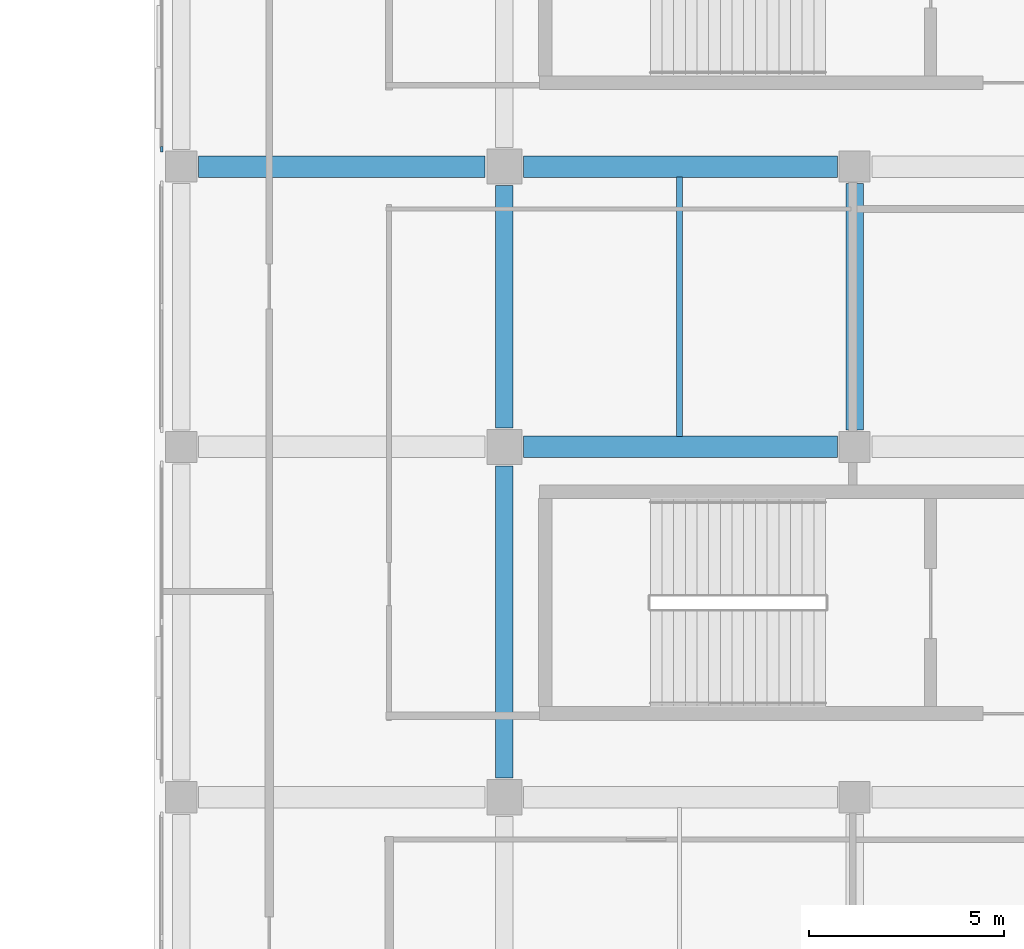
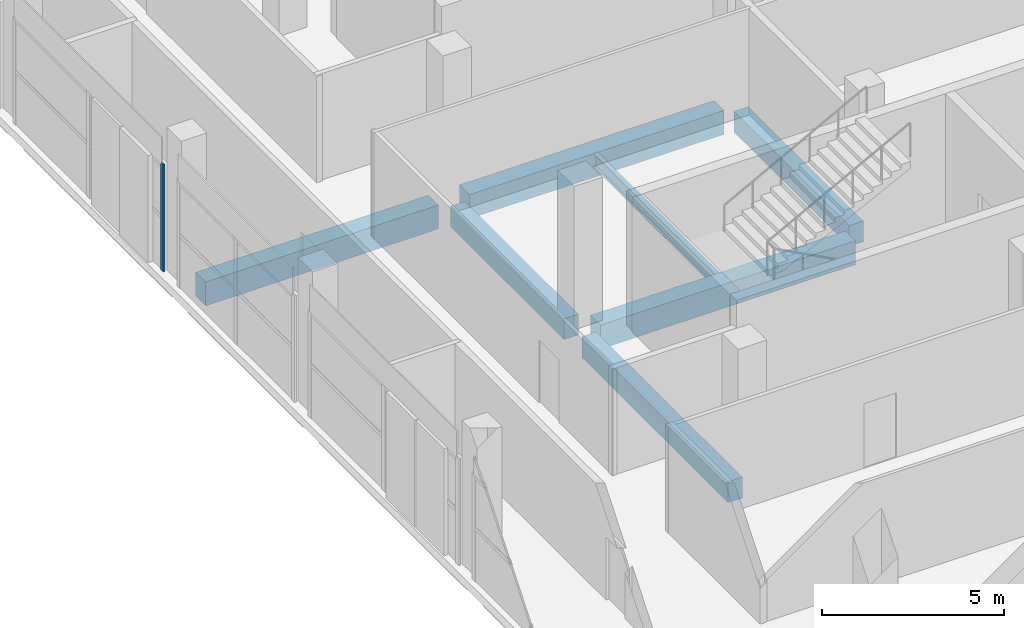
# One storey, part 34 of 111: 7 beams, 1 member, 1 element without a shape of its own.
"""IFC4 building model written with IfcOpenShell, lengths in metres."""

from ifc_helpers import new_model, si_unit, direction, frame, origin, origin_2d, place, context, subcontext, project, spatial, rectangle, i_section, extrude, material, material_profile, profile_set, type_object, element, aggregate, save


model = new_model("IFC4")

# Units and contexts
model_context = context("Model", 3, precision=1e-05, world=origin(), true_north=direction((0.0, 1.0)))
body_context = subcontext(model_context, "Body", "Model", "MODEL_VIEW")
ifc_project = project(units=[si_unit("LENGTHUNIT", "METRE"), si_unit("AREAUNIT", "SQUARE_METRE"), si_unit("VOLUMEUNIT", "CUBIC_METRE"), si_unit("PLANEANGLEUNIT", "RADIAN"), si_unit("MASSUNIT", "GRAM", prefix="KILO"), si_unit("THERMODYNAMICTEMPERATUREUNIT", "KELVIN"), si_unit("POWERUNIT", "WATT")], contexts=[model_context])

# Site, building, storey
site_placement = place(None, origin())
site = spatial("IfcSite", under=ifc_project, at=site_placement, CompositionType="ELEMENT")
building_placement = place(site_placement, origin())
building = spatial("IfcBuilding", under=site, at=building_placement, Name="Sindhuravela Promenade Stadium", CompositionType="ELEMENT")
storey_placement = place(building_placement, frame((0.0, 0.0, 9.60009765625)))
storey = spatial("IfcBuildingStorey", under=building, at=storey_placement, Name="L02", CompositionType="ELEMENT", Elevation=9.60009765625)

# Curtain wall, member
ifc_material_1 = material(Name="Anodised architectural aluminium 6063-T6", Category="aluminium")
curtain_wall_type = type_object("IfcCurtainWallType", Name="CW-MOD-5", PredefinedType="NOTDEFINED", material=ifc_material_1)
curtain_wall_placement = place(storey_placement, origin())
curtain_wall = element("IfcCurtainWall", 1, at=curtain_wall_placement, inside=storey, type_object=curtain_wall_type, Name="Bronze curtain wall CW-EAST-L02-100", PredefinedType="NOTDEFINED")
ifc_material_profile_1 = material_profile(ifc_material_1, rectangle(XDim=0.06005859375, YDim=0.139892578125, at=origin_2d()), Name="ALU M60x140")
ifc_profile_set_1 = profile_set([ifc_material_profile_1], Name="Anodised architectural aluminium 6063-T6")
member_type = type_object("IfcMemberType", Name="CW-MUL-5", PredefinedType="MULLION", material=ifc_profile_set_1)
member_placement = place(storey_placement, frame((171.199951171875, 101.25, 0.0), z_axis=(0.0, 0.0, 1.0), x_axis=(1.0, 0.0, 0.0)))
member = element("IfcMember", 2, at=member_placement, type_object=member_type, Name="Curtain wall mullion CW-EAST-L02-100-M1", PredefinedType="MULLION", context=body_context, shape_type="SweptSolid", body=[
    extrude(rectangle(XDim=0.06005859375, YDim=0.139892578125, at=origin_2d()), origin(), (0.0, 0.0, 1.0), 3.579833984375),
])
aggregate(curtain_wall, [member])

# Beams
ifc_material_2 = material(Name="Concrete M40", Category="concrete")
ifc_material_profile_2 = material_profile(ifc_material_2, rectangle(XDim=0.449951171875, YDim=0.699951171875, at=origin_2d()), Name="RC 450x700")
ifc_profile_set_2 = profile_set([ifc_material_profile_2], Name="Concrete M40")
beam_type_1 = type_object("IfcBeamType", Name="RC-BM-450x700", PredefinedType="BEAM", material=ifc_profile_set_2)
beam_1_placement = place(storey_placement, frame((180.0, 85.090087890625, -0.630126953125), z_axis=(0.0, 1.0, 0.0), x_axis=(-1.0, 0.0, 0.0)))
element("IfcBeam", 3, at=beam_1_placement, inside=storey, type_object=beam_type_1, Name="Primary beam GB07 EAST L02", PredefinedType="BEAM", context=body_context, shape_type="SweptSolid", body=[
    extrude(rectangle(XDim=0.449951171875, YDim=0.699951171875, at=origin_2d()), origin(), (0.0, 0.0, 1.0), 8.02001953125),
])
beam_2_placement = place(storey_placement, frame((180.0, 94.090087890625, -0.630126953125), z_axis=(0.0, 1.0, 0.0), x_axis=(-1.0, 0.0, 0.0)))
element("IfcBeam", 4, at=beam_2_placement, inside=storey, type_object=beam_type_1, Name="Primary beam GB07 EAST L02", PredefinedType="BEAM", context=body_context, shape_type="SweptSolid", body=[
    extrude(rectangle(XDim=0.449951171875, YDim=0.699951171875, at=origin_2d()), origin(), (0.0, 0.0, 1.0), 6.219970703125),
])
beam_3_placement = place(storey_placement, frame((189.0, 94.0400390625, -0.630126953125), z_axis=(0.0, 1.0, 0.0), x_axis=(-1.0, 0.0, 0.0)))
element("IfcBeam", 5, at=beam_3_placement, inside=storey, type_object=beam_type_1, Name="Primary beam GB07 EAST L02", PredefinedType="BEAM", context=body_context, shape_type="SweptSolid", body=[
    extrude(rectangle(XDim=0.449951171875, YDim=0.699951171875, at=origin_2d()), origin(), (0.0, 0.0, 1.0), 6.320068359375),
])
ifc_material_profile_3 = material_profile(ifc_material_2, rectangle(XDim=0.550048828125, YDim=0.800048828125, at=origin_2d()), Name="RC 550x800")
ifc_profile_set_3 = profile_set([ifc_material_profile_3], Name="Concrete M40")
beam_type_2 = type_object("IfcBeamType", Name="RC-BM-550x800", PredefinedType="BEAM", material=ifc_profile_set_3)
beam_4_placement = place(storey_placement, frame((180.489990234375, 93.60009765625, -0.68017578125), z_axis=(1.0, 0.0, 0.0), x_axis=(0.0, 1.0, 0.0)))
element("IfcBeam", 6, at=beam_4_placement, inside=storey, type_object=beam_type_2, Name="Primary girder GB05 EAST L02", PredefinedType="BEAM", context=body_context, shape_type="SweptSolid", body=[
    extrude(rectangle(XDim=0.550048828125, YDim=0.800048828125, at=origin_2d()), origin(), (0.0, 0.0, 1.0), 8.070068359375),
])
beam_5_placement = place(storey_placement, frame((172.139892578125, 100.800048828125, -0.68017578125), z_axis=(1.0, 0.0, 0.0), x_axis=(0.0, 1.0, 0.0)))
element("IfcBeam", 7, at=beam_5_placement, inside=storey, type_object=beam_type_2, Name="Primary girder GB05 EAST L02", PredefinedType="BEAM", context=body_context, shape_type="SweptSolid", body=[
    extrude(rectangle(XDim=0.550048828125, YDim=0.800048828125, at=origin_2d()), origin(), (0.0, 0.0, 1.0), 7.3701171875),
])
beam_6_placement = place(storey_placement, frame((180.489990234375, 100.800048828125, -0.68017578125), z_axis=(1.0, 0.0, 0.0), x_axis=(0.0, 1.0, 0.0)))
element("IfcBeam", 8, at=beam_6_placement, inside=storey, type_object=beam_type_2, Name="Primary girder GB05 EAST L02", PredefinedType="BEAM", context=body_context, shape_type="SweptSolid", body=[
    extrude(rectangle(XDim=0.550048828125, YDim=0.800048828125, at=origin_2d()), origin(), (0.0, 0.0, 1.0), 8.070068359375),
])
ifc_material_3 = material(Name="Steel E350 (IS 2062 E350BR)", Category="steel")
ifc_material_profile_4 = material_profile(ifc_material_3, i_section(OverallWidth=0.14990234375, OverallDepth=0.449951171875, WebThickness=0.009521484375, FlangeThickness=0.017333984375, FilletRadius=0.014892578125, at=origin_2d()), Name="ISMB 450")
ifc_profile_set_4 = profile_set([ifc_material_profile_4], Name="Steel E350 (IS 2062 E350BR)")
beam_type_3 = type_object("IfcBeamType", Name="ST-BM-MB450", PredefinedType="BEAM", material=ifc_profile_set_4)
beam_7_placement = place(storey_placement, frame((184.5, 93.864990234375, -0.505126953125), z_axis=(0.0, 1.0, 0.0), x_axis=(-1.0, 0.0, 0.0)))
element("IfcBeam", 9, at=beam_7_placement, inside=storey, type_object=beam_type_3, Name="Secondary floor joist SB06 EAST L02", PredefinedType="BEAM", context=body_context, shape_type="SweptSolid", body=[
    extrude(i_section(OverallWidth=0.14990234375, OverallDepth=0.449951171875, WebThickness=0.009521484375, FlangeThickness=0.017333984375, FilletRadius=0.014892578125, at=origin_2d()), origin(), (0.0, 0.0, 1.0), 6.669921875),
])

save(model, "model.ifc")
